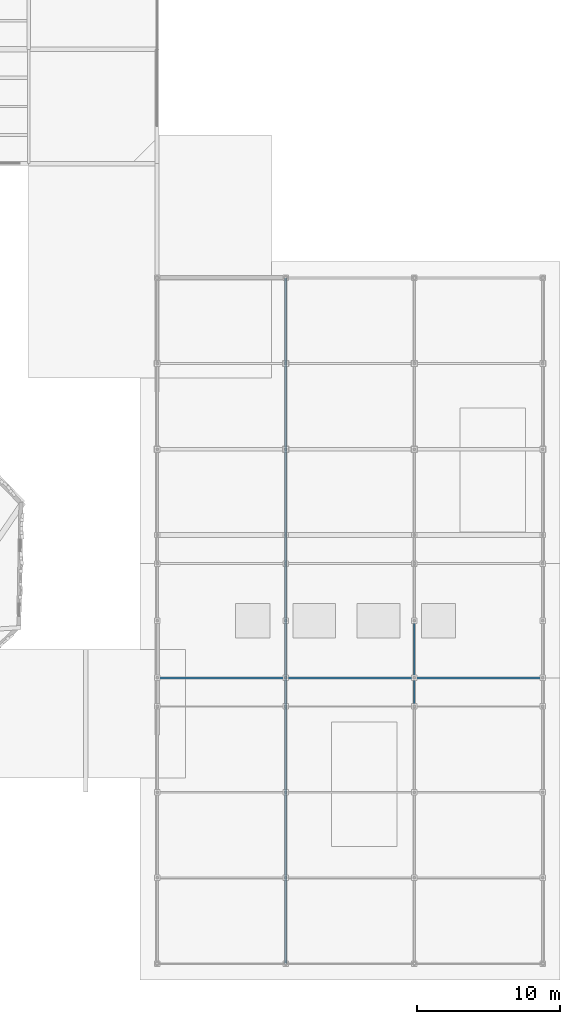
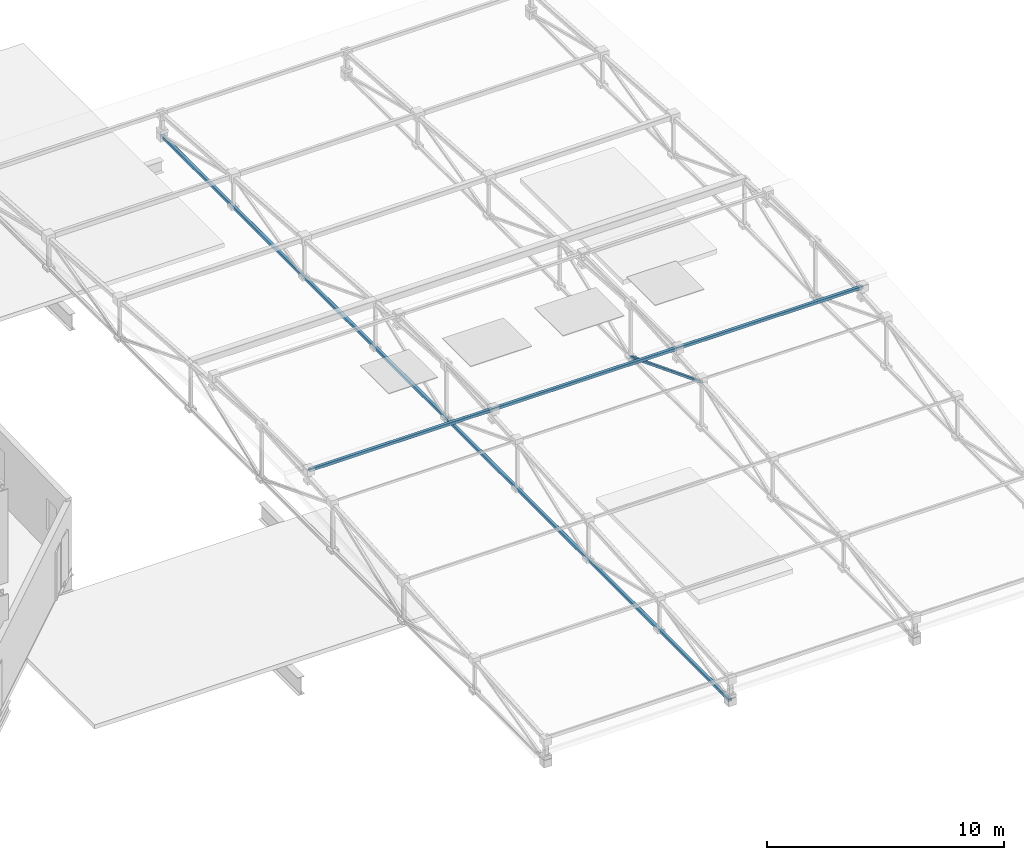
# One storey, part 25 of 85: 2 beams, 1 member.
"""IFC4 building model written with IfcOpenShell, lengths in metres."""

from ifc_helpers import new_model, si_unit, direction, frame, origin, origin_2d, place, context, subcontext, project, spatial, hollow_rectangle, extrude, material, material_profile, profile_set, type_object, element, save


model = new_model("IFC4")

# Units and contexts
model_context = context("Model", 3, precision=1e-05, world=origin(), true_north=direction((0.0, 1.0)))
body_context = subcontext(model_context, "Body", "Model", "MODEL_VIEW")
ifc_project = project(units=[si_unit("LENGTHUNIT", "METRE"), si_unit("AREAUNIT", "SQUARE_METRE"), si_unit("VOLUMEUNIT", "CUBIC_METRE"), si_unit("PLANEANGLEUNIT", "RADIAN"), si_unit("MASSUNIT", "GRAM", prefix="KILO"), si_unit("THERMODYNAMICTEMPERATUREUNIT", "KELVIN"), si_unit("POWERUNIT", "WATT")], contexts=[model_context])

# Site, building, storey
site_placement = place(None, origin())
site = spatial("IfcSite", under=ifc_project, at=site_placement, CompositionType="ELEMENT")
building_placement = place(site_placement, origin())
building = spatial("IfcBuilding", under=site, at=building_placement, Name="Zelmaris Science Centre", CompositionType="ELEMENT")
storey_placement = place(building_placement, frame((0.0, 0.0, 20.39990234375)))
storey = spatial("IfcBuildingStorey", under=building, at=storey_placement, Name="L04", CompositionType="ELEMENT", Elevation=20.39990234375)

# Beams
ifc_material = material(Name="Steel ASTM A500 Grade C", Category="steel")
ifc_material_profile_1 = material_profile(ifc_material, hollow_rectangle(XDim=0.15234375, YDim=0.15234375, WallThickness=0.0087890625, InnerFilletRadius=0.0087890625, OuterFilletRadius=0.017822265625, at=origin_2d()), Name="HSS152X152X10")
ifc_profile_set_1 = profile_set([ifc_material_profile_1], Name="Steel ASTM A500 Grade C")
beam_type = type_object("IfcBeamType", Name="Beam G-21 HSS152X152X10", PredefinedType="BEAM", material=ifc_profile_set_1)
beam_1_placement = place(storey_placement, frame((117.0, 8.0, 0.947998046875), z_axis=(0.0, 1.0, 0.0), x_axis=(-1.0, 0.0, 0.0)))
element("IfcBeam", 1, at=beam_1_placement, inside=storey, type_object=beam_type, Name="RF-V4 Roof truss 2 bottom chord", PredefinedType="BEAM", context=body_context, shape_type="SweptSolid", body=[
    extrude(hollow_rectangle(XDim=0.15234375, YDim=0.15234375, WallThickness=0.0087890625, InnerFilletRadius=0.0087890625, OuterFilletRadius=0.017822265625, at=origin_2d()), origin(), (0.0, 0.0, 1.0), 48.0),
])
beam_2_placement = place(storey_placement, frame((108.0, 28.0, 3.830078125), z_axis=(1.0, 0.0, 0.0), x_axis=(0.0, 1.0, 0.0)))
element("IfcBeam", 2, at=beam_2_placement, inside=storey, type_object=beam_type, Name="RF-V4 Lantern curb beam S", PredefinedType="BEAM", context=body_context, shape_type="SweptSolid", body=[
    extrude(hollow_rectangle(XDim=0.15234375, YDim=0.15234375, WallThickness=0.0087890625, InnerFilletRadius=0.0087890625, OuterFilletRadius=0.017822265625, at=origin_2d()), origin(), (0.0, 0.0, 1.0), 27.0),
])

# Member
ifc_material_profile_2 = material_profile(ifc_material, hollow_rectangle(XDim=0.126953125, YDim=0.126953125, WallThickness=0.00732421875, InnerFilletRadius=0.00732421875, OuterFilletRadius=0.014892578125, at=origin_2d()), Name="HSS127X127X8")
ifc_profile_set_2 = profile_set([ifc_material_profile_2], Name="Steel ASTM A500 Grade C")
member_type = type_object("IfcMemberType", Name="Structural Brace BR-04 HSS127X127X8", PredefinedType="BRACE", material=ifc_profile_set_2)
member_placement = place(storey_placement, frame((126.0, 26.0, 3.285400390625), z_axis=(0.0, 0.93179104927, -0.362995097075), x_axis=(-1.0, 0.0, 0.0)))
element("IfcMember", 3, at=member_placement, inside=storey, type_object=member_type, Name="RF-V4 Roof truss 3 web diagonal 4", PredefinedType="BRACE", context=body_context, shape_type="SweptSolid", body=[
    extrude(hollow_rectangle(XDim=0.126953125, YDim=0.126953125, WallThickness=0.00732421875, InnerFilletRadius=0.00732421875, OuterFilletRadius=0.014892578125, at=origin_2d()), origin(), (0.0, 0.0, 1.0), 6.439208984375),
])

save(model, "model.ifc")
